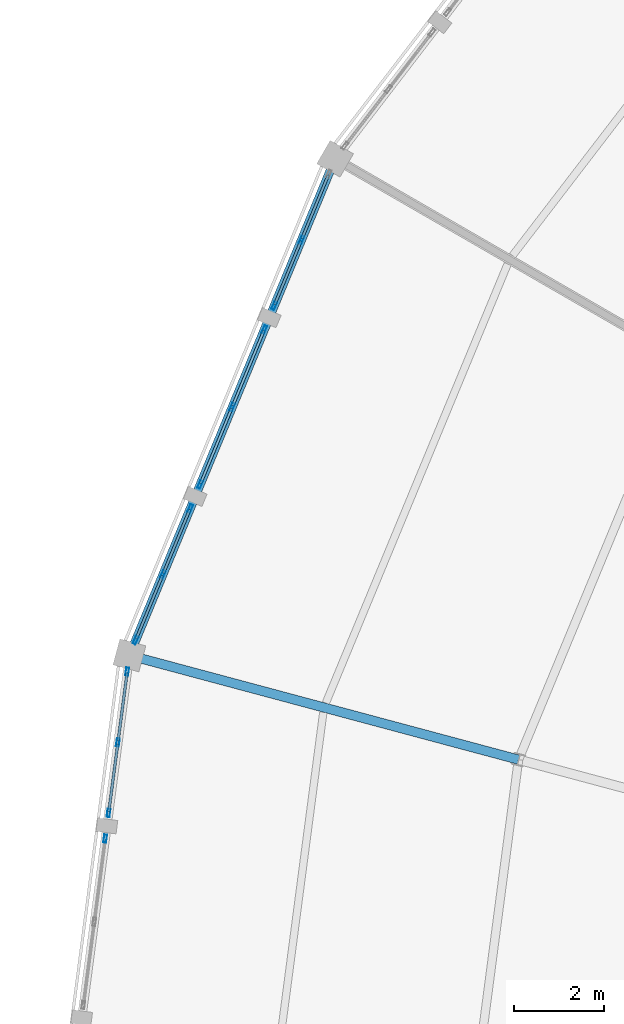
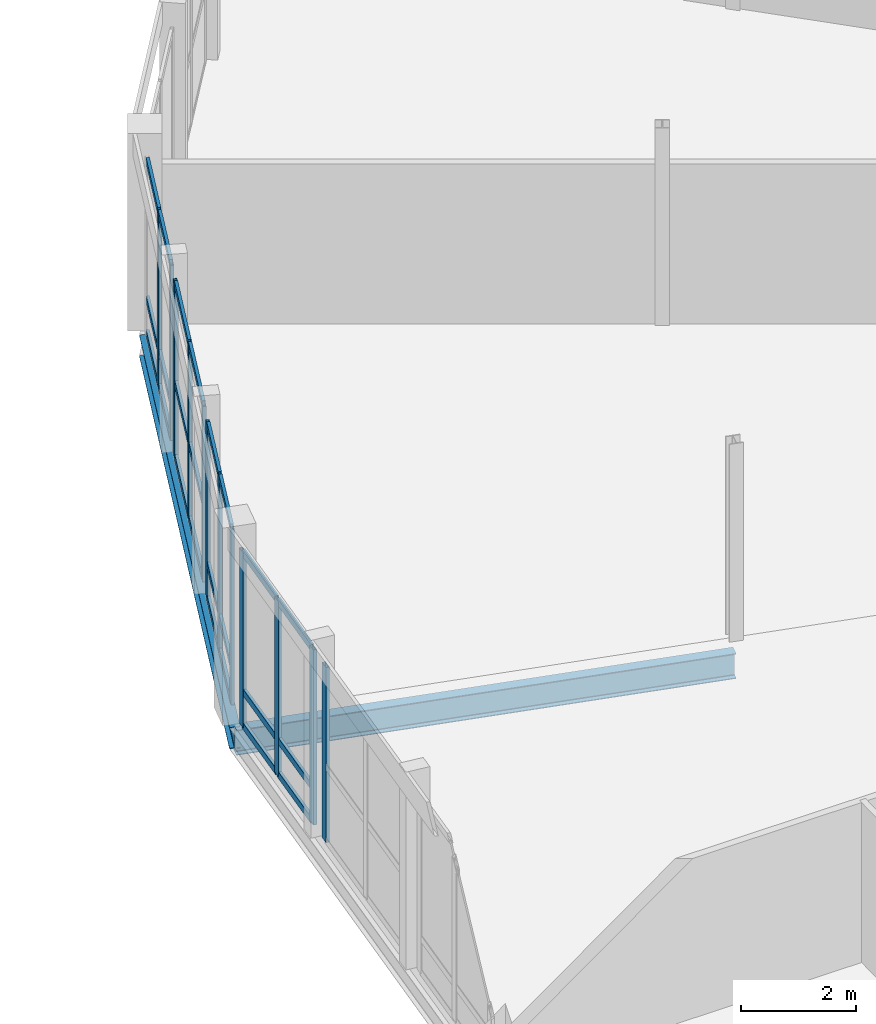
# One storey, part 63 of 185: 36 members, 2 beams, 5 elements without a shape of their own.
"""IFC4 building model written with IfcOpenShell, lengths in metres."""

from ifc_helpers import new_model, si_unit, direction, frame, origin, origin_2d, place, context, subcontext, project, spatial, hollow_rectangle, i_section, extrude, material, material_profile, profile_set, type_object, element, aggregate, save


model = new_model("IFC4")

# Units and contexts
model_context = context("Model", 3, precision=1e-05, world=origin(), true_north=direction((0.0, 1.0)))
body_context = subcontext(model_context, "Body", "Model", "MODEL_VIEW")
ifc_project = project(units=[si_unit("LENGTHUNIT", "METRE"), si_unit("AREAUNIT", "SQUARE_METRE"), si_unit("VOLUMEUNIT", "CUBIC_METRE"), si_unit("PLANEANGLEUNIT", "RADIAN"), si_unit("MASSUNIT", "GRAM", prefix="KILO")], contexts=[model_context])

# Site, building, storey
site_placement = place(None, origin())
site = spatial("IfcSite", under=ifc_project, at=site_placement, CompositionType="ELEMENT")
building_placement = place(site_placement, origin())
building = spatial("IfcBuilding", under=site, at=building_placement, Name="Vondelvale Polytechnic", CompositionType="ELEMENT")
storey_placement = place(building_placement, frame((0.0, 0.0, 9.60009765625)))
storey = spatial("IfcBuildingStorey", under=building, at=storey_placement, Name="L02", CompositionType="ELEMENT", Elevation=9.60009765625)

# Beams
ifc_material_1 = material(Name="Steel 300PLUS (fy = 300 MPa)", Category="steel")
ifc_material_profile_1 = material_profile(ifc_material_1, i_section(OverallWidth=0.18994140625, OverallDepth=0.45703125, WebThickness=0.009033203125, FlangeThickness=0.014404296875, FilletRadius=0.011474609375, at=origin_2d()), Name="460UB74.6")
ifc_profile_set_1 = profile_set([ifc_material_profile_1], Name="Steel 300PLUS (fy = 300 MPa)")
beam_type_1 = type_object("IfcBeamType", Name="BM-UB460", PredefinedType="BEAM", material=ifc_profile_set_1)
beam_1_placement = place(storey_placement, frame((62.162841796875, 95.0, -0.508544921875), z_axis=(-0.382688765072, -0.923877323614, 0.0), x_axis=(0.923877323614, -0.382688765072, 0.0)))
element("IfcBeam", 1, at=beam_1_placement, inside=storey, type_object=beam_type_1, Name="L02 RB B-13", PredefinedType="BEAM", context=body_context, shape_type="SweptSolid", body=[
    extrude(i_section(OverallWidth=0.18994140625, OverallDepth=0.45703125, WebThickness=0.009033203125, FlangeThickness=0.014404296875, FilletRadius=0.011474609375, at=origin_2d()), origin(), (0.0, 0.0, 1.0), 12.00830078125),
])
ifc_material_profile_2 = material_profile(ifc_material_1, i_section(OverallWidth=0.208984375, OverallDepth=0.532958984375, WebThickness=0.01025390625, FlangeThickness=0.015625, FilletRadius=0.013916015625, at=origin_2d()), Name="530UB92.4")
ifc_profile_set_2 = profile_set([ifc_material_profile_2], Name="Steel 300PLUS (fy = 300 MPa)")
beam_type_2 = type_object("IfcBeamType", Name="BM-UB530", PredefinedType="BEAM", material=ifc_profile_set_2)
beam_2_placement = place(storey_placement, frame((66.2607421875, 81.576416015625, -0.546630859375), z_axis=(-0.965926740751, 0.25881563226, 0.0), x_axis=(-0.25881563226, -0.965926740751, 0.0)))
element("IfcBeam", 2, at=beam_2_placement, inside=storey, type_object=beam_type_2, Name="L02 RG B-11", PredefinedType="BEAM", context=body_context, shape_type="SweptSolid", body=[
    extrude(i_section(OverallWidth=0.208984375, OverallDepth=0.532958984375, WebThickness=0.01025390625, FlangeThickness=0.015625, FilletRadius=0.013916015625, at=origin_2d()), origin(), (0.0, 0.0, 1.0), 9.0),
])

# Curtain wall, members
ifc_material_2 = material(Name="Glulam GL18 structural Tasmanian oak (fb = 42 MPa)", Category="wood")
curtain_wall_type = type_object("IfcCurtainWallType", Name="CW-RING-OUTER", PredefinedType="NOTDEFINED", material=ifc_material_2)
curtain_wall_1_placement = place(storey_placement, origin())
curtain_wall_1 = element("IfcCurtainWall", 3, at=curtain_wall_1_placement, inside=storey, type_object=curtain_wall_type, Name="L02 architectural curtain wall CW-04-234", PredefinedType="NOTDEFINED")
ifc_material_3 = material(Name="Anodised extruded aluminium 6063-T6", Category="aluminium")
ifc_material_profile_3 = material_profile(ifc_material_3, hollow_rectangle(XDim=0.06494140625, YDim=0.179931640625, WallThickness=0.00390625, at=origin_2d()), Name="CW-MUL-180x65")
ifc_profile_set_3 = profile_set([ifc_material_profile_3], Name="Anodised extruded aluminium 6063-T6")
member_type_1 = type_object("IfcMemberType", Name="CW-MUL-65x180", PredefinedType="MULLION", material=ifc_profile_set_3)
member_1_placement = place(storey_placement, frame((61.41259765625, 93.18896484375, 0.0), z_axis=(0.0, 0.0, 1.0), x_axis=(0.923882033442, -0.382677394529, 0.0)))
member_1 = element("IfcMember", 4, at=member_1_placement, type_object=member_type_1, Name="CW-04-234 mullion 2", PredefinedType="MULLION", context=body_context, shape_type="SweptSolid", body=[
    extrude(hollow_rectangle(XDim=0.06494140625, YDim=0.179931640625, WallThickness=0.00390625, at=origin_2d()), origin(), (0.0, 0.0, 1.0), 3.719970703125),
])
member_2_placement = place(storey_placement, frame((60.80224609375, 91.71533203125, 0.0), z_axis=(0.0, 0.0, 1.0), x_axis=(0.923882033442, -0.382677394529, 0.0)))
member_2 = element("IfcMember", 5, at=member_2_placement, type_object=member_type_1, Name="CW-04-234 mullion 3", PredefinedType="MULLION", context=body_context, shape_type="SweptSolid", body=[
    extrude(hollow_rectangle(XDim=0.06494140625, YDim=0.179931640625, WallThickness=0.00390625, at=origin_2d()), origin(), (0.0, 0.0, 1.0), 3.719970703125),
])

curtain_wall_2_placement = place(storey_placement, origin())
curtain_wall_2 = element("IfcCurtainWall", 6, at=curtain_wall_2_placement, inside=storey, type_object=curtain_wall_type, Name="L02 architectural curtain wall CW-04-235", PredefinedType="NOTDEFINED")
member_3_placement = place(storey_placement, frame((60.582275390625, 91.18408203125, 0.0), z_axis=(0.0, 0.0, 1.0), x_axis=(0.92387490701, -0.382694599123, 0.0)))
member_3 = element("IfcMember", 7, at=member_3_placement, type_object=member_type_1, Name="CW-04-235 mullion 1", PredefinedType="MULLION", context=body_context, shape_type="SweptSolid", body=[
    extrude(hollow_rectangle(XDim=0.06494140625, YDim=0.179931640625, WallThickness=0.00390625, at=origin_2d()), origin(), (0.0, 0.0, 1.0), 3.719970703125),
])
member_4_placement = place(storey_placement, frame((59.864990234375, 89.452880859375, 0.0), z_axis=(0.0, 0.0, 1.0), x_axis=(0.92387490701, -0.382694599123, 0.0)))
member_4 = element("IfcMember", 8, at=member_4_placement, type_object=member_type_1, Name="CW-04-235 mullion 2", PredefinedType="MULLION", context=body_context, shape_type="SweptSolid", body=[
    extrude(hollow_rectangle(XDim=0.06494140625, YDim=0.179931640625, WallThickness=0.00390625, at=origin_2d()), origin(), (0.0, 0.0, 1.0), 3.719970703125),
])
member_5_placement = place(storey_placement, frame((59.14794921875, 87.721435546875, 0.0), z_axis=(0.0, 0.0, 1.0), x_axis=(0.92387490701, -0.382694599123, 0.0)))
member_5 = element("IfcMember", 9, at=member_5_placement, type_object=member_type_1, Name="CW-04-235 mullion 3", PredefinedType="MULLION", context=body_context, shape_type="SweptSolid", body=[
    extrude(hollow_rectangle(XDim=0.06494140625, YDim=0.179931640625, WallThickness=0.00390625, at=origin_2d()), origin(), (0.0, 0.0, 1.0), 3.719970703125),
])

curtain_wall_3_placement = place(storey_placement, origin())
curtain_wall_3 = element("IfcCurtainWall", 10, at=curtain_wall_3_placement, inside=storey, type_object=curtain_wall_type, Name="L02 architectural curtain wall CW-04-236", PredefinedType="NOTDEFINED")
member_6_placement = place(storey_placement, frame((58.927978515625, 87.190185546875, 0.0), z_axis=(0.0, 0.0, 1.0), x_axis=(0.923882033442, -0.382677394529, 0.0)))
member_6 = element("IfcMember", 11, at=member_6_placement, type_object=member_type_1, Name="CW-04-236 mullion 1", PredefinedType="MULLION", context=body_context, shape_type="SweptSolid", body=[
    extrude(hollow_rectangle(XDim=0.06494140625, YDim=0.179931640625, WallThickness=0.00390625, at=origin_2d()), origin(), (0.0, 0.0, 1.0), 3.719970703125),
])
member_7_placement = place(storey_placement, frame((58.3173828125, 85.716796875, 0.0), z_axis=(0.0, 0.0, 1.0), x_axis=(0.923882033442, -0.382677394529, 0.0)))
member_7 = element("IfcMember", 12, at=member_7_placement, type_object=member_type_1, Name="CW-04-236 mullion 2", PredefinedType="MULLION", context=body_context, shape_type="SweptSolid", body=[
    extrude(hollow_rectangle(XDim=0.06494140625, YDim=0.179931640625, WallThickness=0.00390625, at=origin_2d()), origin(), (0.0, 0.0, 1.0), 3.719970703125),
])
member_8_placement = place(storey_placement, frame((57.70703125, 84.2431640625, 0.0), z_axis=(0.0, 0.0, 1.0), x_axis=(0.923882033442, -0.382677394529, 0.0)))
member_8 = element("IfcMember", 13, at=member_8_placement, type_object=member_type_1, Name="CW-04-236 mullion 3", PredefinedType="MULLION", context=body_context, shape_type="SweptSolid", body=[
    extrude(hollow_rectangle(XDim=0.06494140625, YDim=0.179931640625, WallThickness=0.00390625, at=origin_2d()), origin(), (0.0, 0.0, 1.0), 3.719970703125),
])

curtain_wall_4_placement = place(storey_placement, origin())
curtain_wall_4 = element("IfcCurtainWall", 14, at=curtain_wall_4_placement, inside=storey, type_object=curtain_wall_type, Name="L02 architectural curtain wall CW-04-249", PredefinedType="NOTDEFINED")
member_9_placement = place(storey_placement, frame((57.519775390625, 83.54345703125, 0.0), z_axis=(0.0, 0.0, 1.0), x_axis=(0.991443102996, -0.130539547729, 0.0)))
member_9 = element("IfcMember", 15, at=member_9_placement, type_object=member_type_1, Name="CW-04-249 mullion 1", PredefinedType="MULLION", context=body_context, shape_type="SweptSolid", body=[
    extrude(hollow_rectangle(XDim=0.06494140625, YDim=0.179931640625, WallThickness=0.00390625, at=origin_2d()), origin(), (0.0, 0.0, 1.0), 3.719970703125),
])
member_10_placement = place(storey_placement, frame((57.3115234375, 81.962158203125, 0.0), z_axis=(0.0, 0.0, 1.0), x_axis=(0.991443102996, -0.130539547729, 0.0)))
member_10 = element("IfcMember", 16, at=member_10_placement, type_object=member_type_1, Name="CW-04-249 mullion 2", PredefinedType="MULLION", context=body_context, shape_type="SweptSolid", body=[
    extrude(hollow_rectangle(XDim=0.06494140625, YDim=0.179931640625, WallThickness=0.00390625, at=origin_2d()), origin(), (0.0, 0.0, 1.0), 3.719970703125),
])
member_11_placement = place(storey_placement, frame((57.103271484375, 80.380859375, 0.0), z_axis=(0.0, 0.0, 1.0), x_axis=(0.991443102996, -0.130539547729, 0.0)))
member_11 = element("IfcMember", 17, at=member_11_placement, type_object=member_type_1, Name="CW-04-249 mullion 3", PredefinedType="MULLION", context=body_context, shape_type="SweptSolid", body=[
    extrude(hollow_rectangle(XDim=0.06494140625, YDim=0.179931640625, WallThickness=0.00390625, at=origin_2d()), origin(), (0.0, 0.0, 1.0), 3.719970703125),
])

# Curtain wall, member
curtain_wall_5_placement = place(storey_placement, origin())
curtain_wall_5 = element("IfcCurtainWall", 18, at=curtain_wall_5_placement, inside=storey, type_object=curtain_wall_type, Name="L02 architectural curtain wall CW-04-250", PredefinedType="NOTDEFINED")
member_12_placement = place(storey_placement, frame((57.0283203125, 79.810791015625, 0.0), z_axis=(0.0, 0.0, 1.0), x_axis=(0.991448671082, -0.130497251349, 0.0)))
member_12 = element("IfcMember", 19, at=member_12_placement, type_object=member_type_1, Name="CW-04-250 mullion 1", PredefinedType="MULLION", context=body_context, shape_type="SweptSolid", body=[
    extrude(hollow_rectangle(XDim=0.06494140625, YDim=0.179931640625, WallThickness=0.00390625, at=origin_2d()), origin(), (0.0, 0.0, 1.0), 3.719970703125),
])
aggregate(curtain_wall_5, [member_12])

# Member
ifc_material_profile_4 = material_profile(ifc_material_3, hollow_rectangle(XDim=0.06005859375, YDim=0.139892578125, WallThickness=0.00341796875, at=origin_2d()), Name="CW-TRN-140x60")
ifc_profile_set_4 = profile_set([ifc_material_profile_4], Name="Anodised extruded aluminium 6063-T6")
member_type_2 = type_object("IfcMemberType", Name="CW-TRN-60x140", PredefinedType="USERDEFINED", material=ifc_profile_set_4)
member_13_placement = place(storey_placement, frame((62.0107421875, 94.632568359375, 0.02978515625), z_axis=(-0.382779237206, -0.923839843027, 0.0), x_axis=(0.923839843027, -0.382779237206, 0.0)))
member_13 = element("IfcMember", 20, at=member_13_placement, type_object=member_type_2, Name="CW-04-234 transom 1.1", ObjectType="TRANSOM", PredefinedType="USERDEFINED", context=body_context, shape_type="SweptSolid", body=[
    extrude(hollow_rectangle(XDim=0.06005859375, YDim=0.139892578125, WallThickness=0.00341796875, at=origin_2d()), origin(), (0.0, 0.0, 1.0), 1.530029296875),
])

member_14_placement = place(storey_placement, frame((62.0107421875, 94.632568359375, 0.75), z_axis=(-0.382779237206, -0.923839843027, 0.0), x_axis=(0.923839843027, -0.382779237206, 0.0)))
member_14 = element("IfcMember", 21, at=member_14_placement, type_object=member_type_2, Name="CW-04-234 transom 1.2", ObjectType="TRANSOM", PredefinedType="USERDEFINED", context=body_context, shape_type="SweptSolid", body=[
    extrude(hollow_rectangle(XDim=0.06005859375, YDim=0.139892578125, WallThickness=0.00341796875, at=origin_2d()), origin(), (0.0, 0.0, 1.0), 1.530029296875),
])

member_15_placement = place(storey_placement, frame((62.0107421875, 94.632568359375, 3.68994140625), z_axis=(-0.382779237206, -0.923839843027, 0.0), x_axis=(0.923839843027, -0.382779237206, 0.0)))
member_15 = element("IfcMember", 22, at=member_15_placement, type_object=member_type_2, Name="CW-04-234 transom 1.3", ObjectType="TRANSOM", PredefinedType="USERDEFINED", context=body_context, shape_type="SweptSolid", body=[
    extrude(hollow_rectangle(XDim=0.06005859375, YDim=0.139892578125, WallThickness=0.00341796875, at=origin_2d()), origin(), (0.0, 0.0, 1.0), 1.530029296875),
])

member_16_placement = place(storey_placement, frame((61.400146484375, 93.158935546875, 0.02978515625), z_axis=(-0.382643045304, -0.923896260346, 0.0), x_axis=(0.923896260346, -0.382643045304, 0.0)))
member_16 = element("IfcMember", 23, at=member_16_placement, type_object=member_type_2, Name="CW-04-234 transom 2.1", ObjectType="TRANSOM", PredefinedType="USERDEFINED", context=body_context, shape_type="SweptSolid", body=[
    extrude(hollow_rectangle(XDim=0.06005859375, YDim=0.139892578125, WallThickness=0.00341796875, at=origin_2d()), origin(), (0.0, 0.0, 1.0), 1.530029296875),
])

member_17_placement = place(storey_placement, frame((61.400146484375, 93.158935546875, 0.75), z_axis=(-0.382643045304, -0.923896260346, 0.0), x_axis=(0.923896260346, -0.382643045304, 0.0)))
member_17 = element("IfcMember", 24, at=member_17_placement, type_object=member_type_2, Name="CW-04-234 transom 2.2", ObjectType="TRANSOM", PredefinedType="USERDEFINED", context=body_context, shape_type="SweptSolid", body=[
    extrude(hollow_rectangle(XDim=0.06005859375, YDim=0.139892578125, WallThickness=0.00341796875, at=origin_2d()), origin(), (0.0, 0.0, 1.0), 1.530029296875),
])

member_18_placement = place(storey_placement, frame((61.400146484375, 93.158935546875, 3.68994140625), z_axis=(-0.382643045304, -0.923896260346, 0.0), x_axis=(0.923896260346, -0.382643045304, 0.0)))
member_18 = element("IfcMember", 25, at=member_18_placement, type_object=member_type_2, Name="CW-04-234 transom 2.3", ObjectType="TRANSOM", PredefinedType="USERDEFINED", context=body_context, shape_type="SweptSolid", body=[
    extrude(hollow_rectangle(XDim=0.06005859375, YDim=0.139892578125, WallThickness=0.00341796875, at=origin_2d()), origin(), (0.0, 0.0, 1.0), 1.530029296875),
])

aggregate(curtain_wall_1, [member_1, member_2, member_13, member_14, member_15, member_16, member_17, member_18])

member_19_placement = place(storey_placement, frame((60.56982421875, 91.154052734375, 0.02978515625), z_axis=(-0.382765012338, -0.92384573676, 0.0), x_axis=(0.92384573676, -0.382765012338, 0.0)))
member_19 = element("IfcMember", 26, at=member_19_placement, type_object=member_type_2, Name="CW-04-235 transom 1.1", ObjectType="TRANSOM", PredefinedType="USERDEFINED", context=body_context, shape_type="SweptSolid", body=[
    extrude(hollow_rectangle(XDim=0.06005859375, YDim=0.139892578125, WallThickness=0.00341796875, at=origin_2d()), origin(), (0.0, 0.0, 1.0), 1.808837890625),
])

member_20_placement = place(storey_placement, frame((60.56982421875, 91.154052734375, 1.599853515625), z_axis=(-0.382765012338, -0.92384573676, 0.0), x_axis=(0.92384573676, -0.382765012338, 0.0)))
member_20 = element("IfcMember", 27, at=member_20_placement, type_object=member_type_2, Name="CW-04-235 transom 1.2", ObjectType="TRANSOM", PredefinedType="USERDEFINED", context=body_context, shape_type="SweptSolid", body=[
    extrude(hollow_rectangle(XDim=0.06005859375, YDim=0.139892578125, WallThickness=0.00341796875, at=origin_2d()), origin(), (0.0, 0.0, 1.0), 1.808837890625),
])

member_21_placement = place(storey_placement, frame((60.56982421875, 91.154052734375, 3.68994140625), z_axis=(-0.382765012338, -0.92384573676, 0.0), x_axis=(0.92384573676, -0.382765012338, 0.0)))
member_21 = element("IfcMember", 28, at=member_21_placement, type_object=member_type_2, Name="CW-04-235 transom 1.3", ObjectType="TRANSOM", PredefinedType="USERDEFINED", context=body_context, shape_type="SweptSolid", body=[
    extrude(hollow_rectangle(XDim=0.06005859375, YDim=0.139892578125, WallThickness=0.00341796875, at=origin_2d()), origin(), (0.0, 0.0, 1.0), 1.808837890625),
])

member_22_placement = place(storey_placement, frame((59.852783203125, 89.4228515625, 0.02978515625), z_axis=(-0.382717291485, -0.923865506878, 0.0), x_axis=(0.923865506878, -0.382717291485, 0.0)))
member_22 = element("IfcMember", 29, at=member_22_placement, type_object=member_type_2, Name="CW-04-235 transom 2.1", ObjectType="TRANSOM", PredefinedType="USERDEFINED", context=body_context, shape_type="SweptSolid", body=[
    extrude(hollow_rectangle(XDim=0.06005859375, YDim=0.139892578125, WallThickness=0.00341796875, at=origin_2d()), origin(), (0.0, 0.0, 1.0), 1.80908203125),
])

member_23_placement = place(storey_placement, frame((59.852783203125, 89.4228515625, 1.599853515625), z_axis=(-0.382717291485, -0.923865506878, 0.0), x_axis=(0.923865506878, -0.382717291485, 0.0)))
member_23 = element("IfcMember", 30, at=member_23_placement, type_object=member_type_2, Name="CW-04-235 transom 2.2", ObjectType="TRANSOM", PredefinedType="USERDEFINED", context=body_context, shape_type="SweptSolid", body=[
    extrude(hollow_rectangle(XDim=0.06005859375, YDim=0.139892578125, WallThickness=0.00341796875, at=origin_2d()), origin(), (0.0, 0.0, 1.0), 1.80908203125),
])

member_24_placement = place(storey_placement, frame((59.852783203125, 89.4228515625, 3.68994140625), z_axis=(-0.382717291485, -0.923865506878, 0.0), x_axis=(0.923865506878, -0.382717291485, 0.0)))
member_24 = element("IfcMember", 31, at=member_24_placement, type_object=member_type_2, Name="CW-04-235 transom 2.3", ObjectType="TRANSOM", PredefinedType="USERDEFINED", context=body_context, shape_type="SweptSolid", body=[
    extrude(hollow_rectangle(XDim=0.06005859375, YDim=0.139892578125, WallThickness=0.00341796875, at=origin_2d()), origin(), (0.0, 0.0, 1.0), 1.80908203125),
])

aggregate(curtain_wall_2, [member_3, member_4, member_5, member_19, member_20, member_21, member_22, member_23, member_24])

member_25_placement = place(storey_placement, frame((58.91552734375, 87.16015625, 0.02978515625), z_axis=(-0.382835668721, -0.923816459452, 0.0), x_axis=(0.923816459452, -0.382835668721, 0.0)))
member_25 = element("IfcMember", 32, at=member_25_placement, type_object=member_type_2, Name="CW-04-236 transom 1.1", ObjectType="TRANSOM", PredefinedType="USERDEFINED", context=body_context, shape_type="SweptSolid", body=[
    extrude(hollow_rectangle(XDim=0.06005859375, YDim=0.139892578125, WallThickness=0.00341796875, at=origin_2d()), origin(), (0.0, 0.0, 1.0), 1.52978515625),
])

member_26_placement = place(storey_placement, frame((58.91552734375, 87.16015625, 0.75), z_axis=(-0.382835668721, -0.923816459452, 0.0), x_axis=(0.923816459452, -0.382835668721, 0.0)))
member_26 = element("IfcMember", 33, at=member_26_placement, type_object=member_type_2, Name="CW-04-236 transom 1.2", ObjectType="TRANSOM", PredefinedType="USERDEFINED", context=body_context, shape_type="SweptSolid", body=[
    extrude(hollow_rectangle(XDim=0.06005859375, YDim=0.139892578125, WallThickness=0.00341796875, at=origin_2d()), origin(), (0.0, 0.0, 1.0), 1.52978515625),
])

member_27_placement = place(storey_placement, frame((58.91552734375, 87.16015625, 3.68994140625), z_axis=(-0.382835668721, -0.923816459452, 0.0), x_axis=(0.923816459452, -0.382835668721, 0.0)))
member_27 = element("IfcMember", 34, at=member_27_placement, type_object=member_type_2, Name="CW-04-236 transom 1.3", ObjectType="TRANSOM", PredefinedType="USERDEFINED", context=body_context, shape_type="SweptSolid", body=[
    extrude(hollow_rectangle(XDim=0.06005859375, YDim=0.139892578125, WallThickness=0.00341796875, at=origin_2d()), origin(), (0.0, 0.0, 1.0), 1.52978515625),
])

member_28_placement = place(storey_placement, frame((58.30517578125, 85.686767578125, 0.02978515625), z_axis=(-0.382779237206, -0.923839843027, 0.0), x_axis=(0.923839843027, -0.382779237206, 0.0)))
member_28 = element("IfcMember", 35, at=member_28_placement, type_object=member_type_2, Name="CW-04-236 transom 2.1", ObjectType="TRANSOM", PredefinedType="USERDEFINED", context=body_context, shape_type="SweptSolid", body=[
    extrude(hollow_rectangle(XDim=0.06005859375, YDim=0.139892578125, WallThickness=0.00341796875, at=origin_2d()), origin(), (0.0, 0.0, 1.0), 1.530029296875),
])

member_29_placement = place(storey_placement, frame((58.30517578125, 85.686767578125, 0.75), z_axis=(-0.382779237206, -0.923839843027, 0.0), x_axis=(0.923839843027, -0.382779237206, 0.0)))
member_29 = element("IfcMember", 36, at=member_29_placement, type_object=member_type_2, Name="CW-04-236 transom 2.2", ObjectType="TRANSOM", PredefinedType="USERDEFINED", context=body_context, shape_type="SweptSolid", body=[
    extrude(hollow_rectangle(XDim=0.06005859375, YDim=0.139892578125, WallThickness=0.00341796875, at=origin_2d()), origin(), (0.0, 0.0, 1.0), 1.530029296875),
])

member_30_placement = place(storey_placement, frame((58.30517578125, 85.686767578125, 3.68994140625), z_axis=(-0.382779237206, -0.923839843027, 0.0), x_axis=(0.923839843027, -0.382779237206, 0.0)))
member_30 = element("IfcMember", 37, at=member_30_placement, type_object=member_type_2, Name="CW-04-236 transom 2.3", ObjectType="TRANSOM", PredefinedType="USERDEFINED", context=body_context, shape_type="SweptSolid", body=[
    extrude(hollow_rectangle(XDim=0.06005859375, YDim=0.139892578125, WallThickness=0.00341796875, at=origin_2d()), origin(), (0.0, 0.0, 1.0), 1.530029296875),
])

aggregate(curtain_wall_3, [member_6, member_7, member_8, member_25, member_26, member_27, member_28, member_29, member_30])

member_31_placement = place(storey_placement, frame((57.515625, 83.511474609375, 0.02978515625), z_axis=(-0.13066912162, -0.99142603388, 0.0), x_axis=(0.99142603388, -0.13066912162, 0.0)))
member_31 = element("IfcMember", 38, at=member_31_placement, type_object=member_type_2, Name="CW-04-249 transom 1.1", ObjectType="TRANSOM", PredefinedType="USERDEFINED", context=body_context, shape_type="SweptSolid", body=[
    extrude(hollow_rectangle(XDim=0.06005859375, YDim=0.139892578125, WallThickness=0.00341796875, at=origin_2d()), origin(), (0.0, 0.0, 1.0), 1.5302734375),
])

member_32_placement = place(storey_placement, frame((57.515625, 83.511474609375, 0.75), z_axis=(-0.13066912162, -0.99142603388, 0.0), x_axis=(0.99142603388, -0.13066912162, 0.0)))
member_32 = element("IfcMember", 39, at=member_32_placement, type_object=member_type_2, Name="CW-04-249 transom 1.2", ObjectType="TRANSOM", PredefinedType="USERDEFINED", context=body_context, shape_type="SweptSolid", body=[
    extrude(hollow_rectangle(XDim=0.06005859375, YDim=0.139892578125, WallThickness=0.00341796875, at=origin_2d()), origin(), (0.0, 0.0, 1.0), 1.5302734375),
])

member_33_placement = place(storey_placement, frame((57.515625, 83.511474609375, 3.68994140625), z_axis=(-0.13066912162, -0.99142603388, 0.0), x_axis=(0.99142603388, -0.13066912162, 0.0)))
member_33 = element("IfcMember", 40, at=member_33_placement, type_object=member_type_2, Name="CW-04-249 transom 1.3", ObjectType="TRANSOM", PredefinedType="USERDEFINED", context=body_context, shape_type="SweptSolid", body=[
    extrude(hollow_rectangle(XDim=0.06005859375, YDim=0.139892578125, WallThickness=0.00341796875, at=origin_2d()), origin(), (0.0, 0.0, 1.0), 1.5302734375),
])

member_34_placement = place(storey_placement, frame((57.307373046875, 81.929931640625, 0.02978515625), z_axis=(-0.130532942165, -0.991443972703, 0.0), x_axis=(0.991443972703, -0.130532942165, 0.0)))
member_34 = element("IfcMember", 41, at=member_34_placement, type_object=member_type_2, Name="CW-04-249 transom 2.1", ObjectType="TRANSOM", PredefinedType="USERDEFINED", context=body_context, shape_type="SweptSolid", body=[
    extrude(hollow_rectangle(XDim=0.06005859375, YDim=0.139892578125, WallThickness=0.00341796875, at=origin_2d()), origin(), (0.0, 0.0, 1.0), 1.530029296875),
])

member_35_placement = place(storey_placement, frame((57.307373046875, 81.929931640625, 0.75), z_axis=(-0.130532942165, -0.991443972703, 0.0), x_axis=(0.991443972703, -0.130532942165, 0.0)))
member_35 = element("IfcMember", 42, at=member_35_placement, type_object=member_type_2, Name="CW-04-249 transom 2.2", ObjectType="TRANSOM", PredefinedType="USERDEFINED", context=body_context, shape_type="SweptSolid", body=[
    extrude(hollow_rectangle(XDim=0.06005859375, YDim=0.139892578125, WallThickness=0.00341796875, at=origin_2d()), origin(), (0.0, 0.0, 1.0), 1.530029296875),
])

member_36_placement = place(storey_placement, frame((57.307373046875, 81.929931640625, 3.68994140625), z_axis=(-0.130532942165, -0.991443972703, 0.0), x_axis=(0.991443972703, -0.130532942165, 0.0)))
member_36 = element("IfcMember", 43, at=member_36_placement, type_object=member_type_2, Name="CW-04-249 transom 2.3", ObjectType="TRANSOM", PredefinedType="USERDEFINED", context=body_context, shape_type="SweptSolid", body=[
    extrude(hollow_rectangle(XDim=0.06005859375, YDim=0.139892578125, WallThickness=0.00341796875, at=origin_2d()), origin(), (0.0, 0.0, 1.0), 1.530029296875),
])

aggregate(curtain_wall_4, [member_9, member_10, member_11, member_31, member_32, member_33, member_34, member_35, member_36])

save(model, "model.ifc")
